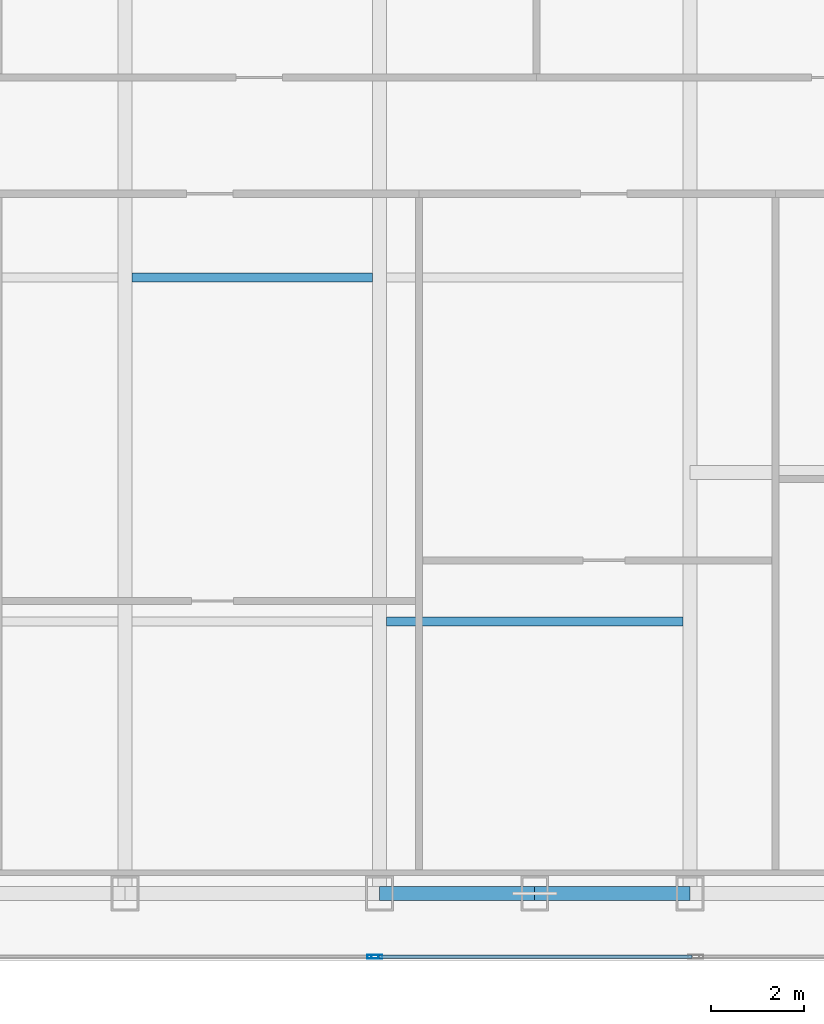
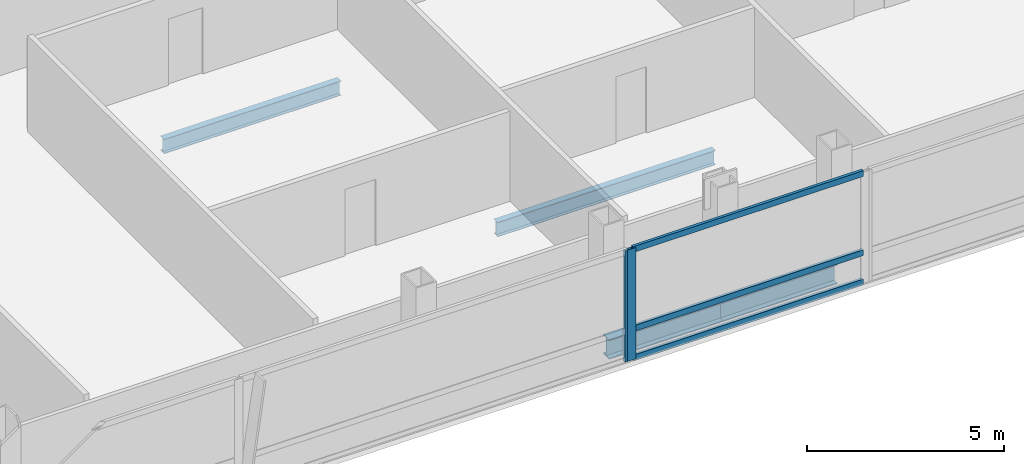
# One storey, part 14 of 32: 5 members, 4 beams, 2 elements without a shape of their own.
"""IFC4 building model written with IfcOpenShell, lengths in metres."""

from ifc_helpers import new_model, si_unit, direction, frame, origin, origin_2d, place, context, subcontext, project, spatial, hollow_rectangle, i_section, extrude, material, material_profile, profile_set, type_object, element, aggregate, save


model = new_model("IFC4")

# Units and contexts
model_context = context("Model", 3, precision=1e-05, world=origin(), true_north=direction((0.0, 1.0)))
body_context = subcontext(model_context, "Body", "Model", "MODEL_VIEW")
ifc_project = project(units=[si_unit("LENGTHUNIT", "METRE"), si_unit("AREAUNIT", "SQUARE_METRE"), si_unit("VOLUMEUNIT", "CUBIC_METRE"), si_unit("PLANEANGLEUNIT", "RADIAN"), si_unit("MASSUNIT", "GRAM", prefix="KILO")], contexts=[model_context])

# Site, building, storey
site_placement = place(None, origin())
site = spatial("IfcSite", under=ifc_project, at=site_placement, CompositionType="ELEMENT")
building_placement = place(site_placement, origin())
building = spatial("IfcBuilding", under=site, at=building_placement, Name="Khoronbel Lancet Exchange", CompositionType="ELEMENT")
storey_placement = place(building_placement, frame((0.0, 0.0, 228.199951171875)))
storey = spatial("IfcBuildingStorey", under=building, at=storey_placement, Name="L58", CompositionType="ELEMENT", Elevation=228.199951171875)

# Beams
ifc_material_1 = material(Name="Steel S355", Category="steel")
ifc_material_profile_1 = material_profile(ifc_material_1, i_section(OverallWidth=0.18994140625, OverallDepth=0.449951171875, WebThickness=0.009521484375, FlangeThickness=0.0146484375, at=origin_2d()), Name="IPE 450")
ifc_profile_set_1 = profile_set([ifc_material_profile_1], Name="Steel S355")
beam_type_1 = type_object("IfcBeamType", Name="BM-BJ4", PredefinedType="JOIST", material=ifc_profile_set_1)
beam_1_placement = place(storey_placement, frame((48.14990234375, 16.0, -0.385009765625), z_axis=(1.0, 0.0, 0.0), x_axis=(0.0, 1.0, 0.0)))
element("IfcBeam", 1, at=beam_1_placement, inside=storey, type_object=beam_type_1, Name="Level L58 secondary composite joist J05", PredefinedType="JOIST", context=body_context, shape_type="SweptSolid", body=[
    extrude(i_section(OverallWidth=0.18994140625, OverallDepth=0.449951171875, WebThickness=0.009521484375, FlangeThickness=0.0146484375, at=origin_2d()), origin(), (0.0, 0.0, 1.0), 6.375),
])
beam_2_placement = place(storey_placement, frame((42.675048828125, 23.39990234375, -0.385009765625), z_axis=(1.0, 0.0, 0.0), x_axis=(0.0, 1.0, 0.0)))
element("IfcBeam", 2, at=beam_2_placement, inside=storey, type_object=beam_type_1, Name="Level L58 secondary composite joist J09", PredefinedType="JOIST", context=body_context, shape_type="SweptSolid", body=[
    extrude(i_section(OverallWidth=0.18994140625, OverallDepth=0.449951171875, WebThickness=0.009521484375, FlangeThickness=0.0146484375, at=origin_2d()), origin(), (0.0, 0.0, 1.0), 5.175048828125),
])
ifc_material_profile_2 = material_profile(ifc_material_1, i_section(OverallWidth=0.300048828125, OverallDepth=0.60009765625, WebThickness=0.015380859375, FlangeThickness=0.030029296875, at=origin_2d()), Name="HEB 600")
ifc_profile_set_2 = profile_set([ifc_material_profile_2], Name="Steel S355")
beam_type_2 = type_object("IfcBeamType", Name="BM-BSP2", PredefinedType="SPANDREL", material=ifc_profile_set_2)
beam_3_placement = place(storey_placement, frame((48.0, 10.14990234375, -0.4599609375), z_axis=(1.0, 0.0, 0.0), x_axis=(0.0, 1.0, 0.0)))
element("IfcBeam", 3, at=beam_3_placement, inside=storey, type_object=beam_type_2, Name="Level L58 perimeter spandrel beam SP07", PredefinedType="SPANDREL", context=body_context, shape_type="SweptSolid", body=[
    extrude(i_section(OverallWidth=0.300048828125, OverallDepth=0.60009765625, WebThickness=0.015380859375, FlangeThickness=0.030029296875, at=origin_2d()), origin(), (0.0, 0.0, 1.0), 3.33740234375),
])
beam_4_placement = place(storey_placement, frame((51.33740234375, 10.14990234375, -0.4599609375), z_axis=(1.0, 0.0, 0.0), x_axis=(0.0, 1.0, 0.0)))
element("IfcBeam", 4, at=beam_4_placement, inside=storey, type_object=beam_type_2, Name="Level L58 perimeter spandrel beam SP08", PredefinedType="SPANDREL", context=body_context, shape_type="SweptSolid", body=[
    extrude(i_section(OverallWidth=0.300048828125, OverallDepth=0.60009765625, WebThickness=0.015380859375, FlangeThickness=0.030029296875, at=origin_2d()), origin(), (0.0, 0.0, 1.0), 3.337646484375),
])

# Curtain wall, member
ifc_material_2 = material(Name="Low-E Solar Control Insulating Glass", Category="glass")
curtain_wall_type = type_object("IfcCurtainWallType", Name="CW-3", PredefinedType="NOTDEFINED", material=ifc_material_2)
curtain_wall_1_placement = place(storey_placement, origin())
curtain_wall_1 = element("IfcCurtainWall", 5, at=curtain_wall_1_placement, inside=storey, type_object=curtain_wall_type, Name="Unitised curtain wall CW-L58-SCV", PredefinedType="NOTDEFINED")
ifc_material_3 = material(Name="Bronze-Anodised Aluminium 6063-T6", Category="aluminium")
ifc_material_profile_3 = material_profile(ifc_material_3, hollow_rectangle(XDim=0.0849609375, YDim=0.239990234375, WallThickness=0.006103515625, at=origin_2d()), Name="ALU MULLION 85x240")
ifc_profile_set_3 = profile_set([ifc_material_profile_3], Name="Bronze-Anodised Aluminium 6063-T6")
member_type_1 = type_object("IfcMemberType", Name="MEM-CWM1", PredefinedType="MULLION", material=ifc_profile_set_3)
member_1_placement = place(storey_placement, frame((47.857421875, 8.7900390625, 0.0), z_axis=(0.0, 0.0, 1.0), x_axis=(0.0, 1.0, 0.0)))
member_1 = element("IfcMember", 6, at=member_1_placement, type_object=member_type_1, Name="CW3 mullion 3", PredefinedType="MULLION", context=body_context, shape_type="SweptSolid", body=[
    extrude(hollow_rectangle(XDim=0.0849609375, YDim=0.239990234375, WallThickness=0.006103515625, at=origin_2d()), origin(), (0.0, 0.0, 1.0), 3.43994140625),
])
aggregate(curtain_wall_1, [member_1])

# Curtain wall, members
curtain_wall_2_placement = place(storey_placement, origin())
curtain_wall_2 = element("IfcCurtainWall", 7, at=curtain_wall_2_placement, inside=storey, type_object=curtain_wall_type, Name="Unitised curtain wall CW-L58-SEB", PredefinedType="NOTDEFINED")
member_2_placement = place(storey_placement, frame((47.9423828125, 8.7900390625, 0.0), z_axis=(0.0, 0.0, 1.0), x_axis=(0.0, 1.0, 0.0)))
member_2 = element("IfcMember", 8, at=member_2_placement, type_object=member_type_1, Name="CW3 mullion 1", PredefinedType="MULLION", context=body_context, shape_type="SweptSolid", body=[
    extrude(hollow_rectangle(XDim=0.0849609375, YDim=0.239990234375, WallThickness=0.006103515625, at=origin_2d()), origin(), (0.0, 0.0, 1.0), 3.43994140625),
])
ifc_material_profile_4 = material_profile(ifc_material_3, hollow_rectangle(XDim=0.0849609375, YDim=0.179931640625, WallThickness=0.0048828125, at=origin_2d()), Name="ALU TRANSOM 85x180")
ifc_profile_set_4 = profile_set([ifc_material_profile_4], Name="Bronze-Anodised Aluminium 6063-T6")
member_type_2 = type_object("IfcMemberType", Name="MEM-CWT1", PredefinedType="USERDEFINED", material=ifc_profile_set_4)
member_3_placement = place(storey_placement, frame((47.985107421875, 8.7900390625, 0.04248046875), z_axis=(1.0, 0.0, 0.0), x_axis=(0.0, 1.0, 0.0)))
member_3 = element("IfcMember", 9, at=member_3_placement, type_object=member_type_2, Name="CW3 transom 1.1", ObjectType="TRANSOM", PredefinedType="USERDEFINED", context=body_context, shape_type="SweptSolid", body=[
    extrude(hollow_rectangle(XDim=0.0849609375, YDim=0.179931640625, WallThickness=0.0048828125, at=origin_2d()), origin(), (0.0, 0.0, 1.0), 6.72998046875),
])
member_4_placement = place(storey_placement, frame((47.985107421875, 8.7900390625, 0.949951171875), z_axis=(1.0, 0.0, 0.0), x_axis=(0.0, 1.0, 0.0)))
member_4 = element("IfcMember", 10, at=member_4_placement, type_object=member_type_2, Name="CW3 transom 1.2", ObjectType="TRANSOM", PredefinedType="USERDEFINED", context=body_context, shape_type="SweptSolid", body=[
    extrude(hollow_rectangle(XDim=0.0849609375, YDim=0.179931640625, WallThickness=0.0048828125, at=origin_2d()), origin(), (0.0, 0.0, 1.0), 6.72998046875),
])
member_5_placement = place(storey_placement, frame((47.985107421875, 8.7900390625, 3.3974609375), z_axis=(1.0, 0.0, 0.0), x_axis=(0.0, 1.0, 0.0)))
member_5 = element("IfcMember", 11, at=member_5_placement, type_object=member_type_2, Name="CW3 transom 1.3", ObjectType="TRANSOM", PredefinedType="USERDEFINED", context=body_context, shape_type="SweptSolid", body=[
    extrude(hollow_rectangle(XDim=0.0849609375, YDim=0.179931640625, WallThickness=0.0048828125, at=origin_2d()), origin(), (0.0, 0.0, 1.0), 6.72998046875),
])
aggregate(curtain_wall_2, [member_2, member_3, member_4, member_5])

save(model, "model.ifc")
